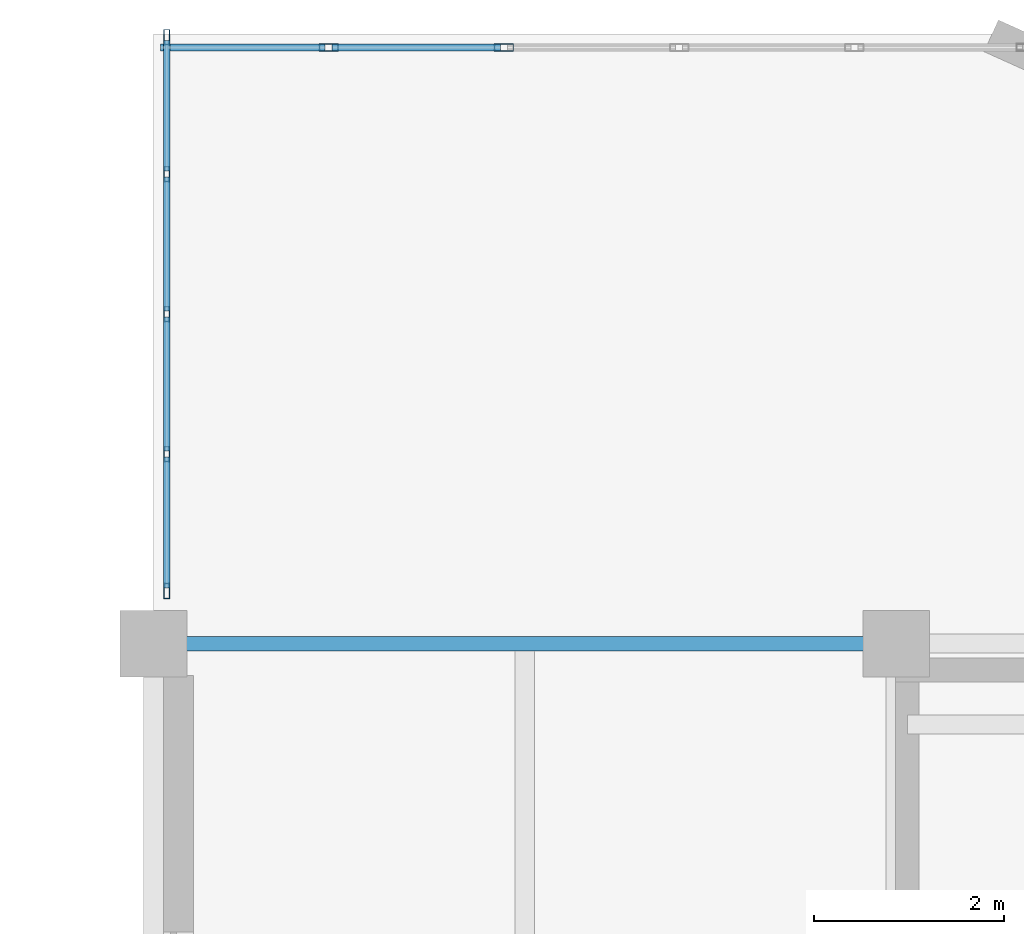
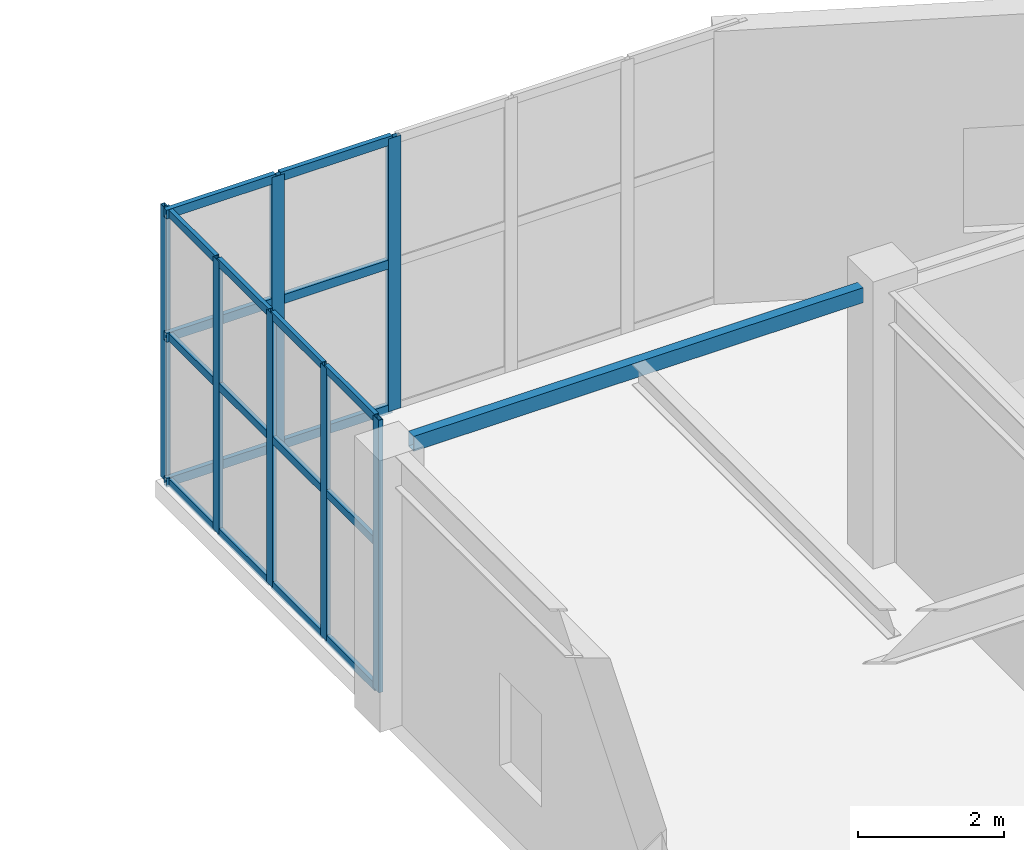
# One storey, part 47 of 72: 25 members, 1 beam, 2 elements without a shape of their own.
"""IFC4 building model written with IfcOpenShell, lengths in metres."""

from ifc_helpers import new_model, si_unit, direction, frame, origin, origin_2d, place, context, subcontext, project, spatial, hollow_rectangle, extrude, material, layer, layer_set, material_profile, profile_set, type_object, element, aggregate, save


model = new_model("IFC4")

# Units and contexts
model_context = context("Model", 3, precision=1e-05, world=origin(), true_north=direction((0.0, 1.0)))
body_context = subcontext(model_context, "Body", "Model", "MODEL_VIEW")
ifc_project = project(units=[si_unit("LENGTHUNIT", "METRE"), si_unit("AREAUNIT", "SQUARE_METRE"), si_unit("VOLUMEUNIT", "CUBIC_METRE"), si_unit("PLANEANGLEUNIT", "RADIAN"), si_unit("MASSUNIT", "GRAM", prefix="KILO")], contexts=[model_context])

# Site, building, storey
site_placement = place(None, origin())
site = spatial("IfcSite", under=ifc_project, at=site_placement, CompositionType="ELEMENT")
building_placement = place(site_placement, origin())
building = spatial("IfcBuilding", under=site, at=building_placement, Name="Xicomal Pleat Aquarium", CompositionType="ELEMENT")
storey_placement = place(building_placement, frame((0.0, 0.0, 10.5)))
storey = spatial("IfcBuildingStorey", under=building, at=storey_placement, Name="L03", CompositionType="ELEMENT", Elevation=10.5)

# Beam
ifc_material_1 = material(Name="Structural steel A500 Gr C", Category="steel")
ifc_material_profile_1 = material_profile(ifc_material_1, hollow_rectangle(XDim=0.14990234375, YDim=0.25, WallThickness=0.010009765625, at=origin_2d()), Name="OR 250x150x10")
ifc_profile_set_1 = profile_set([ifc_material_profile_1], Name="Structural steel A500 Gr C")
beam_type = type_object("IfcBeamType", Name="BM-STL-OR250", PredefinedType="SPANDREL", material=ifc_profile_set_1)
beam_placement = place(storey_placement, frame((134.14501953125, 98.39990234375, 4.4150390625), z_axis=(1.0, 0.0, 0.0), x_axis=(0.0, 1.0, 0.0)))
element("IfcBeam", 1, at=beam_placement, inside=storey, type_object=beam_type, Name="L03 framing beam FGX-L03-17-18-P", PredefinedType="SPANDREL", context=body_context, shape_type="SweptSolid", body=[
    extrude(hollow_rectangle(XDim=0.14990234375, YDim=0.25, WallThickness=0.010009765625, at=origin_2d()), origin(), (0.0, 0.0, 1.0), 7.10986328125),
])

# Curtain wall, members
ifc_material_2 = material(Name="Bronze anodized aluminium 6063-T6", Category="aluminium")
ifc_layer_1 = layer(ifc_material_2, 0.159912109375)
ifc_layer_set_1 = layer_set([ifc_layer_1], Name="Bronze anodized aluminium 6063-T6")
curtain_wall_type_1 = type_object("IfcCurtainWallType", Name="CW-SYS-03", PredefinedType="NOTDEFINED", material=ifc_layer_set_1)
curtain_wall_1_placement = place(storey_placement, origin())
curtain_wall_1 = element("IfcCurtainWall", 2, at=curtain_wall_1_placement, inside=storey, type_object=curtain_wall_type_1, Name="L03 unitised curtain wall CW-L03-156", PredefinedType="NOTDEFINED")
ifc_material_3 = material(Name="Bronze anodized aluminium 6063-T6", Category="aluminium")
ifc_material_profile_2 = material_profile(ifc_material_3, hollow_rectangle(XDim=0.06494140625, YDim=0.159912109375, WallThickness=0.00390625, at=origin_2d()), Name="ALU MULL 65x160")
ifc_profile_set_2 = profile_set([ifc_material_profile_2], Name="Bronze anodized aluminium 6063-T6")
member_type_1 = type_object("IfcMemberType", Name="CWM-65x160", PredefinedType="MULLION", material=ifc_profile_set_2)
member_1_placement = place(storey_placement, frame((133.93994140625, 98.952392578125, 0.0), z_axis=(0.0, 0.0, 1.0), x_axis=(-1.0, 0.0, 0.0)))
member_1 = element("IfcMember", 3, at=member_1_placement, type_object=member_type_1, Name="CW-03 mullion 1", PredefinedType="MULLION", context=body_context, shape_type="SweptSolid", body=[
    extrude(hollow_rectangle(XDim=0.06494140625, YDim=0.159912109375, WallThickness=0.00390625, at=origin_2d()), origin(), (0.0, 0.0, 1.0), 4.56005859375),
])
member_2_placement = place(storey_placement, frame((133.93994140625, 100.389892578125, 0.0), z_axis=(0.0, 0.0, 1.0), x_axis=(-1.0, 0.0, 0.0)))
member_2 = element("IfcMember", 4, at=member_2_placement, type_object=member_type_1, Name="CW-03 mullion 2", PredefinedType="MULLION", context=body_context, shape_type="SweptSolid", body=[
    extrude(hollow_rectangle(XDim=0.06494140625, YDim=0.159912109375, WallThickness=0.00390625, at=origin_2d()), origin(), (0.0, 0.0, 1.0), 4.56005859375),
])
member_3_placement = place(storey_placement, frame((133.93994140625, 101.860107421875, 0.0), z_axis=(0.0, 0.0, 1.0), x_axis=(-1.0, 0.0, 0.0)))
member_3 = element("IfcMember", 5, at=member_3_placement, type_object=member_type_1, Name="CW-03 mullion 3", PredefinedType="MULLION", context=body_context, shape_type="SweptSolid", body=[
    extrude(hollow_rectangle(XDim=0.06494140625, YDim=0.159912109375, WallThickness=0.00390625, at=origin_2d()), origin(), (0.0, 0.0, 1.0), 4.56005859375),
])
member_4_placement = place(storey_placement, frame((133.93994140625, 103.330078125, 0.0), z_axis=(0.0, 0.0, 1.0), x_axis=(-1.0, 0.0, 0.0)))
member_4 = element("IfcMember", 6, at=member_4_placement, type_object=member_type_1, Name="CW-03 mullion 4", PredefinedType="MULLION", context=body_context, shape_type="SweptSolid", body=[
    extrude(hollow_rectangle(XDim=0.06494140625, YDim=0.159912109375, WallThickness=0.00390625, at=origin_2d()), origin(), (0.0, 0.0, 1.0), 4.56005859375),
])
member_5_placement = place(storey_placement, frame((133.93994140625, 104.767578125, 0.0), z_axis=(0.0, 0.0, 1.0), x_axis=(-1.0, 0.0, 0.0)))
member_5 = element("IfcMember", 7, at=member_5_placement, type_object=member_type_1, Name="CW-03 mullion 5", PredefinedType="MULLION", context=body_context, shape_type="SweptSolid", body=[
    extrude(hollow_rectangle(XDim=0.06494140625, YDim=0.159912109375, WallThickness=0.00390625, at=origin_2d()), origin(), (0.0, 0.0, 1.0), 4.56005859375),
])

ifc_material_4 = material(Name="Bronze anodized aluminium 6063-T6", Category="aluminium")
ifc_layer_2 = layer(ifc_material_4, 0.159912109375)
ifc_layer_set_2 = layer_set([ifc_layer_2], Name="Bronze anodized aluminium 6063-T6")
curtain_wall_type_2 = type_object("IfcCurtainWallType", Name="CW-SYS-08", PredefinedType="NOTDEFINED", material=ifc_layer_set_2)
curtain_wall_2_placement = place(storey_placement, origin())
curtain_wall_2 = element("IfcCurtainWall", 8, at=curtain_wall_2_placement, inside=storey, type_object=curtain_wall_type_2, Name="L03 unitised curtain wall CW-L03-157", PredefinedType="NOTDEFINED")
ifc_material_5 = material(Name="Bronze anodized aluminium 6063-T6", Category="aluminium")
ifc_material_profile_3 = material_profile(ifc_material_5, hollow_rectangle(XDim=0.074951171875, YDim=0.199951171875, WallThickness=0.00439453125, at=origin_2d()), Name="ALU MULL 75x200")
ifc_profile_set_3 = profile_set([ifc_material_profile_3], Name="Bronze anodized aluminium 6063-T6")
member_type_2 = type_object("IfcMemberType", Name="CWM-75x200", PredefinedType="MULLION", material=ifc_profile_set_3)
member_6_placement = place(storey_placement, frame((135.639892578125, 104.659912109375, 0.0), z_axis=(0.0, 0.0, 1.0), x_axis=(0.0, 1.0, 0.0)))
member_6 = element("IfcMember", 9, at=member_6_placement, type_object=member_type_2, Name="CW-08 mullion 2", PredefinedType="MULLION", context=body_context, shape_type="SweptSolid", body=[
    extrude(hollow_rectangle(XDim=0.074951171875, YDim=0.199951171875, WallThickness=0.00439453125, at=origin_2d()), origin(), (0.0, 0.0, 1.0), 4.56005859375),
])
member_7_placement = place(storey_placement, frame((137.47998046875, 104.659912109375, 0.0), z_axis=(0.0, 0.0, 1.0), x_axis=(0.0, 1.0, 0.0)))
member_7 = element("IfcMember", 10, at=member_7_placement, type_object=member_type_2, Name="CW-08 mullion 3", PredefinedType="MULLION", context=body_context, shape_type="SweptSolid", body=[
    extrude(hollow_rectangle(XDim=0.074951171875, YDim=0.199951171875, WallThickness=0.00439453125, at=origin_2d()), origin(), (0.0, 0.0, 1.0), 4.56005859375),
])

# Member
ifc_material_6 = material(Name="Bronze anodized aluminium 6063-T6", Category="aluminium")
ifc_material_profile_4 = material_profile(ifc_material_6, hollow_rectangle(XDim=0.06494140625, YDim=0.1298828125, WallThickness=0.00390625, at=origin_2d()), Name="ALU TRAN 65x130")
ifc_profile_set_4 = profile_set([ifc_material_profile_4], Name="Bronze anodized aluminium 6063-T6")
member_type_3 = type_object("IfcMemberType", Name="CWT-65x130", PredefinedType="USERDEFINED", material=ifc_profile_set_4)
member_8_placement = place(storey_placement, frame((133.93994140625, 98.985107421875, 0.032470703125), z_axis=(0.0, 1.0, 0.0), x_axis=(-1.0, 0.0, 0.0)))
member_8 = element("IfcMember", 11, at=member_8_placement, type_object=member_type_3, Name="CW-03 transom 1.1", ObjectType="TRANSOM", PredefinedType="USERDEFINED", context=body_context, shape_type="SweptSolid", body=[
    extrude(hollow_rectangle(XDim=0.06494140625, YDim=0.1298828125, WallThickness=0.00390625, at=origin_2d()), origin(), (0.0, 0.0, 1.0), 1.372314453125),
])

member_9_placement = place(storey_placement, frame((133.93994140625, 98.985107421875, 2.4619140625), z_axis=(0.0, 1.0, 0.0), x_axis=(-1.0, 0.0, 0.0)))
member_9 = element("IfcMember", 12, at=member_9_placement, type_object=member_type_3, Name="CW-03 transom 1.2", ObjectType="TRANSOM", PredefinedType="USERDEFINED", context=body_context, shape_type="SweptSolid", body=[
    extrude(hollow_rectangle(XDim=0.06494140625, YDim=0.1298828125, WallThickness=0.00390625, at=origin_2d()), origin(), (0.0, 0.0, 1.0), 1.372314453125),
])

member_10_placement = place(storey_placement, frame((133.93994140625, 98.985107421875, 4.527587890625), z_axis=(0.0, 1.0, 0.0), x_axis=(-1.0, 0.0, 0.0)))
member_10 = element("IfcMember", 13, at=member_10_placement, type_object=member_type_3, Name="CW-03 transom 1.3", ObjectType="TRANSOM", PredefinedType="USERDEFINED", context=body_context, shape_type="SweptSolid", body=[
    extrude(hollow_rectangle(XDim=0.06494140625, YDim=0.1298828125, WallThickness=0.00390625, at=origin_2d()), origin(), (0.0, 0.0, 1.0), 1.372314453125),
])

member_11_placement = place(storey_placement, frame((133.93994140625, 100.422607421875, 0.032470703125), z_axis=(0.0, 1.0, 0.0), x_axis=(-1.0, 0.0, 0.0)))
member_11 = element("IfcMember", 14, at=member_11_placement, type_object=member_type_3, Name="CW-03 transom 2.1", ObjectType="TRANSOM", PredefinedType="USERDEFINED", context=body_context, shape_type="SweptSolid", body=[
    extrude(hollow_rectangle(XDim=0.06494140625, YDim=0.1298828125, WallThickness=0.00390625, at=origin_2d()), origin(), (0.0, 0.0, 1.0), 1.40478515625),
])

member_12_placement = place(storey_placement, frame((133.93994140625, 100.422607421875, 2.4619140625), z_axis=(0.0, 1.0, 0.0), x_axis=(-1.0, 0.0, 0.0)))
member_12 = element("IfcMember", 15, at=member_12_placement, type_object=member_type_3, Name="CW-03 transom 2.2", ObjectType="TRANSOM", PredefinedType="USERDEFINED", context=body_context, shape_type="SweptSolid", body=[
    extrude(hollow_rectangle(XDim=0.06494140625, YDim=0.1298828125, WallThickness=0.00390625, at=origin_2d()), origin(), (0.0, 0.0, 1.0), 1.40478515625),
])

member_13_placement = place(storey_placement, frame((133.93994140625, 100.422607421875, 4.527587890625), z_axis=(0.0, 1.0, 0.0), x_axis=(-1.0, 0.0, 0.0)))
member_13 = element("IfcMember", 16, at=member_13_placement, type_object=member_type_3, Name="CW-03 transom 2.3", ObjectType="TRANSOM", PredefinedType="USERDEFINED", context=body_context, shape_type="SweptSolid", body=[
    extrude(hollow_rectangle(XDim=0.06494140625, YDim=0.1298828125, WallThickness=0.00390625, at=origin_2d()), origin(), (0.0, 0.0, 1.0), 1.40478515625),
])

member_14_placement = place(storey_placement, frame((133.93994140625, 101.892578125, 0.032470703125), z_axis=(0.0, 1.0, 0.0), x_axis=(-1.0, 0.0, 0.0)))
member_14 = element("IfcMember", 17, at=member_14_placement, type_object=member_type_3, Name="CW-03 transom 3.1", ObjectType="TRANSOM", PredefinedType="USERDEFINED", context=body_context, shape_type="SweptSolid", body=[
    extrude(hollow_rectangle(XDim=0.06494140625, YDim=0.1298828125, WallThickness=0.00390625, at=origin_2d()), origin(), (0.0, 0.0, 1.0), 1.405029296875),
])

member_15_placement = place(storey_placement, frame((133.93994140625, 101.892578125, 2.4619140625), z_axis=(0.0, 1.0, 0.0), x_axis=(-1.0, 0.0, 0.0)))
member_15 = element("IfcMember", 18, at=member_15_placement, type_object=member_type_3, Name="CW-03 transom 3.2", ObjectType="TRANSOM", PredefinedType="USERDEFINED", context=body_context, shape_type="SweptSolid", body=[
    extrude(hollow_rectangle(XDim=0.06494140625, YDim=0.1298828125, WallThickness=0.00390625, at=origin_2d()), origin(), (0.0, 0.0, 1.0), 1.405029296875),
])

member_16_placement = place(storey_placement, frame((133.93994140625, 101.892578125, 4.527587890625), z_axis=(0.0, 1.0, 0.0), x_axis=(-1.0, 0.0, 0.0)))
member_16 = element("IfcMember", 19, at=member_16_placement, type_object=member_type_3, Name="CW-03 transom 3.3", ObjectType="TRANSOM", PredefinedType="USERDEFINED", context=body_context, shape_type="SweptSolid", body=[
    extrude(hollow_rectangle(XDim=0.06494140625, YDim=0.1298828125, WallThickness=0.00390625, at=origin_2d()), origin(), (0.0, 0.0, 1.0), 1.405029296875),
])

member_17_placement = place(storey_placement, frame((133.93994140625, 103.362548828125, 0.032470703125), z_axis=(0.0, 1.0, 0.0), x_axis=(-1.0, 0.0, 0.0)))
member_17 = element("IfcMember", 20, at=member_17_placement, type_object=member_type_3, Name="CW-03 transom 4.1", ObjectType="TRANSOM", PredefinedType="USERDEFINED", context=body_context, shape_type="SweptSolid", body=[
    extrude(hollow_rectangle(XDim=0.06494140625, YDim=0.1298828125, WallThickness=0.00390625, at=origin_2d()), origin(), (0.0, 0.0, 1.0), 1.37255859375),
])

member_18_placement = place(storey_placement, frame((133.93994140625, 103.362548828125, 2.4619140625), z_axis=(0.0, 1.0, 0.0), x_axis=(-1.0, 0.0, 0.0)))
member_18 = element("IfcMember", 21, at=member_18_placement, type_object=member_type_3, Name="CW-03 transom 4.2", ObjectType="TRANSOM", PredefinedType="USERDEFINED", context=body_context, shape_type="SweptSolid", body=[
    extrude(hollow_rectangle(XDim=0.06494140625, YDim=0.1298828125, WallThickness=0.00390625, at=origin_2d()), origin(), (0.0, 0.0, 1.0), 1.37255859375),
])

member_19_placement = place(storey_placement, frame((133.93994140625, 103.362548828125, 4.527587890625), z_axis=(0.0, 1.0, 0.0), x_axis=(-1.0, 0.0, 0.0)))
member_19 = element("IfcMember", 22, at=member_19_placement, type_object=member_type_3, Name="CW-03 transom 4.3", ObjectType="TRANSOM", PredefinedType="USERDEFINED", context=body_context, shape_type="SweptSolid", body=[
    extrude(hollow_rectangle(XDim=0.06494140625, YDim=0.1298828125, WallThickness=0.00390625, at=origin_2d()), origin(), (0.0, 0.0, 1.0), 1.37255859375),
])

aggregate(curtain_wall_1, [member_1, member_2, member_3, member_4, member_5, member_8, member_9, member_10, member_11, member_12, member_13, member_14, member_15, member_16, member_17, member_18, member_19])

ifc_material_7 = material(Name="Bronze anodized aluminium 6063-T6", Category="aluminium")
ifc_material_profile_5 = material_profile(ifc_material_7, hollow_rectangle(XDim=0.074951171875, YDim=0.14990234375, WallThickness=0.00439453125, at=origin_2d()), Name="ALU TRAN 75x150")
ifc_profile_set_5 = profile_set([ifc_material_profile_5], Name="Bronze anodized aluminium 6063-T6")
member_type_4 = type_object("IfcMemberType", Name="CWT-75x150", PredefinedType="USERDEFINED", material=ifc_profile_set_5)
member_20_placement = place(storey_placement, frame((133.875, 104.659912109375, 0.03759765625), z_axis=(1.0, 0.0, 0.0), x_axis=(0.0, 1.0, 0.0)))
member_20 = element("IfcMember", 23, at=member_20_placement, type_object=member_type_4, Name="CW-08 transom 1.1", ObjectType="TRANSOM", PredefinedType="USERDEFINED", context=body_context, shape_type="SweptSolid", body=[
    extrude(hollow_rectangle(XDim=0.074951171875, YDim=0.14990234375, WallThickness=0.00439453125, at=origin_2d()), origin(), (0.0, 0.0, 1.0), 1.7275390625),
])

member_21_placement = place(storey_placement, frame((133.875, 104.659912109375, 2.4619140625), z_axis=(1.0, 0.0, 0.0), x_axis=(0.0, 1.0, 0.0)))
member_21 = element("IfcMember", 24, at=member_21_placement, type_object=member_type_4, Name="CW-08 transom 1.2", ObjectType="TRANSOM", PredefinedType="USERDEFINED", context=body_context, shape_type="SweptSolid", body=[
    extrude(hollow_rectangle(XDim=0.074951171875, YDim=0.14990234375, WallThickness=0.00439453125, at=origin_2d()), origin(), (0.0, 0.0, 1.0), 1.7275390625),
])

member_22_placement = place(storey_placement, frame((133.875, 104.659912109375, 4.5224609375), z_axis=(1.0, 0.0, 0.0), x_axis=(0.0, 1.0, 0.0)))
member_22 = element("IfcMember", 25, at=member_22_placement, type_object=member_type_4, Name="CW-08 transom 1.3", ObjectType="TRANSOM", PredefinedType="USERDEFINED", context=body_context, shape_type="SweptSolid", body=[
    extrude(hollow_rectangle(XDim=0.074951171875, YDim=0.14990234375, WallThickness=0.00439453125, at=origin_2d()), origin(), (0.0, 0.0, 1.0), 1.7275390625),
])

member_23_placement = place(storey_placement, frame((135.677490234375, 104.659912109375, 0.03759765625), z_axis=(1.0, 0.0, 0.0), x_axis=(0.0, 1.0, 0.0)))
member_23 = element("IfcMember", 26, at=member_23_placement, type_object=member_type_4, Name="CW-08 transom 2.1", ObjectType="TRANSOM", PredefinedType="USERDEFINED", context=body_context, shape_type="SweptSolid", body=[
    extrude(hollow_rectangle(XDim=0.074951171875, YDim=0.14990234375, WallThickness=0.00439453125, at=origin_2d()), origin(), (0.0, 0.0, 1.0), 1.764892578125),
])

member_24_placement = place(storey_placement, frame((135.677490234375, 104.659912109375, 2.4619140625), z_axis=(1.0, 0.0, 0.0), x_axis=(0.0, 1.0, 0.0)))
member_24 = element("IfcMember", 27, at=member_24_placement, type_object=member_type_4, Name="CW-08 transom 2.2", ObjectType="TRANSOM", PredefinedType="USERDEFINED", context=body_context, shape_type="SweptSolid", body=[
    extrude(hollow_rectangle(XDim=0.074951171875, YDim=0.14990234375, WallThickness=0.00439453125, at=origin_2d()), origin(), (0.0, 0.0, 1.0), 1.764892578125),
])

member_25_placement = place(storey_placement, frame((135.677490234375, 104.659912109375, 4.5224609375), z_axis=(1.0, 0.0, 0.0), x_axis=(0.0, 1.0, 0.0)))
member_25 = element("IfcMember", 28, at=member_25_placement, type_object=member_type_4, Name="CW-08 transom 2.3", ObjectType="TRANSOM", PredefinedType="USERDEFINED", context=body_context, shape_type="SweptSolid", body=[
    extrude(hollow_rectangle(XDim=0.074951171875, YDim=0.14990234375, WallThickness=0.00439453125, at=origin_2d()), origin(), (0.0, 0.0, 1.0), 1.764892578125),
])

aggregate(curtain_wall_2, [member_6, member_7, member_20, member_21, member_22, member_23, member_24, member_25])

save(model, "model.ifc")
